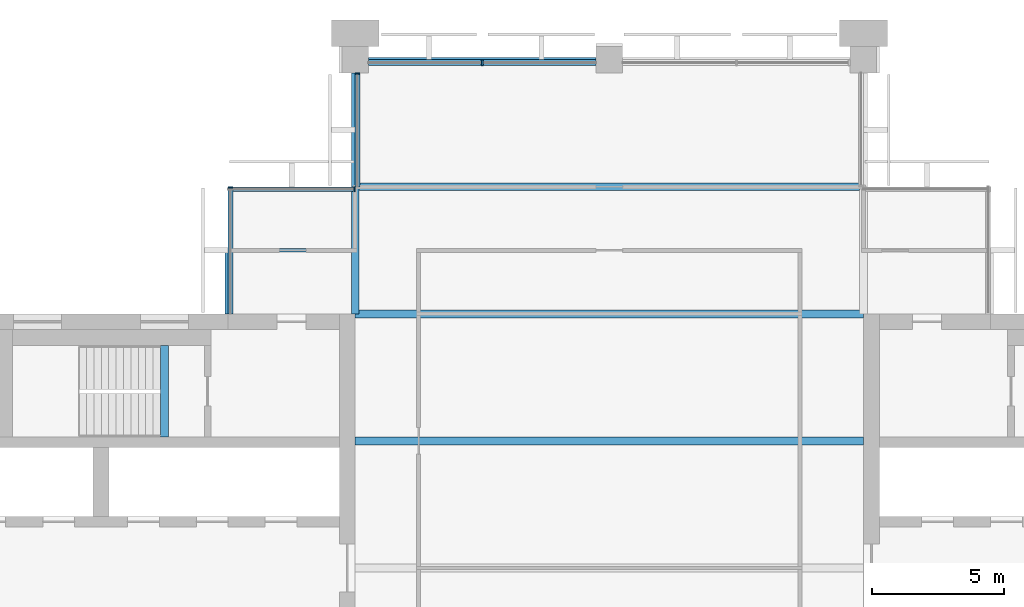
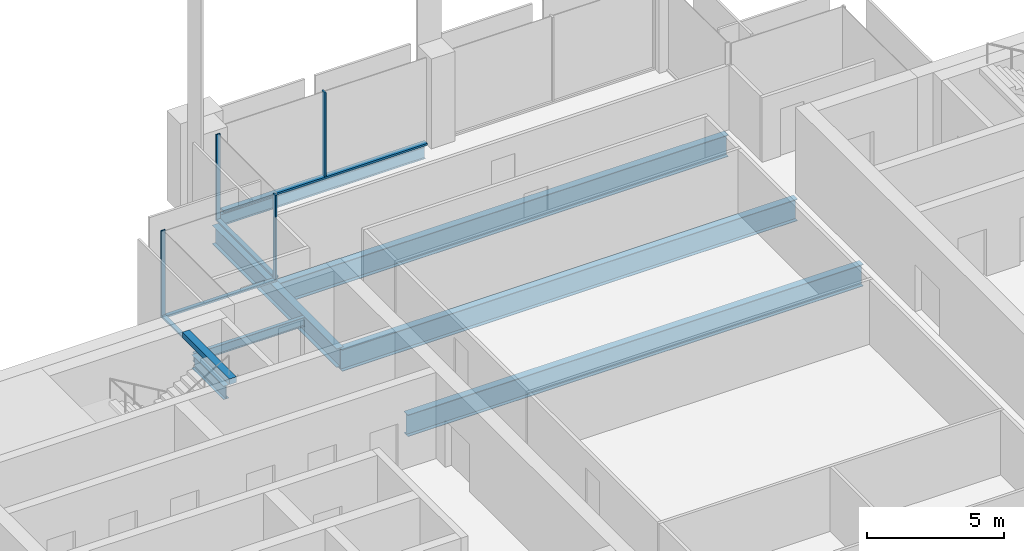
# One storey, part 5 of 12: 8 beams, 8 members, 4 elements without a shape of their own.
"""IFC4 building model written with IfcOpenShell, lengths in metres."""

from ifc_helpers import new_model, si_unit, direction, frame, origin, origin_2d, place, context, subcontext, project, spatial, rectangle, i_section, extrude, material, material_profile, profile_set, type_object, element, aggregate, save


model = new_model("IFC4")

# Units and contexts
model_context = context("Model", 3, precision=1e-05, world=origin(), true_north=direction((0.0, 1.0)))
body_context = subcontext(model_context, "Body", "Model", "MODEL_VIEW")
ifc_project = project(units=[si_unit("LENGTHUNIT", "METRE"), si_unit("AREAUNIT", "SQUARE_METRE"), si_unit("VOLUMEUNIT", "CUBIC_METRE"), si_unit("PLANEANGLEUNIT", "RADIAN"), si_unit("MASSUNIT", "GRAM", prefix="KILO")], contexts=[model_context])

# Site, building, storey
site_placement = place(None, origin())
site = spatial("IfcSite", under=ifc_project, at=site_placement, CompositionType="ELEMENT")
building_placement = place(site_placement, origin())
building = spatial("IfcBuilding", under=site, at=building_placement, Name="Baori Bourse Tower", CompositionType="ELEMENT")
storey_placement = place(building_placement, frame((0.0, 0.0, 342.300048828125)))
storey = spatial("IfcBuildingStorey", under=building, at=storey_placement, Name="L76", CompositionType="ELEMENT", Elevation=342.300048828125)

# Curtain wall, member
ifc_material_1 = material(Name="Pale anodised aluminium", Category="aluminium")
curtain_wall_type_1 = type_object("IfcCurtainWallType", Name="CW2 Curtain wall", PredefinedType="NOTDEFINED", material=ifc_material_1)
curtain_wall_1_placement = place(storey_placement, origin())
curtain_wall_1 = element("IfcCurtainWall", 1, at=curtain_wall_1_placement, inside=storey, type_object=curtain_wall_type_1, Name="Curtain wall CW2 L76 5", PredefinedType="NOTDEFINED")
ifc_material_2 = material(Name="Pale anodised aluminium", Category="aluminium")
ifc_material_profile_1 = material_profile(ifc_material_2, rectangle(XDim=0.179931640625, YDim=0.054931640625, at=origin_2d()), Name="Mullion 55x180")
ifc_profile_set_1 = profile_set([ifc_material_profile_1], Name="Pale anodised aluminium")
member_type_1 = type_object("IfcMemberType", Name="CW2 Curtain wall mullion", PredefinedType="MULLION", material=ifc_profile_set_1)
member_1_placement = place(storey_placement, frame((19.2900390625, 47.472412109375, 0.070068359375), z_axis=(0.0, 0.0, 1.0), x_axis=(1.0, 0.0, 0.0)))
member_1 = element("IfcMember", 2, at=member_1_placement, type_object=member_type_1, Name="Curtain wall CW2 mullion", PredefinedType="MULLION", context=body_context, shape_type="SweptSolid", body=[
    extrude(rectangle(XDim=0.179931640625, YDim=0.054931640625, at=origin_2d()), origin(), (0.0, 0.0, 1.0), 3.769775390625),
])

curtain_wall_2_placement = place(storey_placement, origin())
curtain_wall_2 = element("IfcCurtainWall", 3, at=curtain_wall_2_placement, inside=storey, type_object=curtain_wall_type_1, Name="Curtain wall CW2 L76 6", PredefinedType="NOTDEFINED")
member_2_placement = place(storey_placement, frame((19.172607421875, 43.110107421875, 0.070068359375), z_axis=(0.0, 0.0, 1.0), x_axis=(0.0, -1.0, 0.0)))
member_2 = element("IfcMember", 4, at=member_2_placement, type_object=member_type_1, Name="Curtain wall CW2 mullion", PredefinedType="MULLION", context=body_context, shape_type="SweptSolid", body=[
    extrude(rectangle(XDim=0.179931640625, YDim=0.054931640625, at=origin_2d()), origin(), (0.0, 0.0, 1.0), 3.769775390625),
])

curtain_wall_3_placement = place(storey_placement, origin())
curtain_wall_3 = element("IfcCurtainWall", 5, at=curtain_wall_3_placement, inside=storey, type_object=curtain_wall_type_1, Name="Curtain wall CW2 L76 7", PredefinedType="NOTDEFINED")
member_3_placement = place(storey_placement, frame((14.489990234375, 43.172607421875, 0.070068359375), z_axis=(0.0, 0.0, 1.0), x_axis=(1.0, 0.0, 0.0)))
member_3 = element("IfcMember", 6, at=member_3_placement, type_object=member_type_1, Name="Curtain wall CW2 mullion", PredefinedType="MULLION", context=body_context, shape_type="SweptSolid", body=[
    extrude(rectangle(XDim=0.179931640625, YDim=0.054931640625, at=origin_2d()), origin(), (0.0, 0.0, 1.0), 3.769775390625),
])

# Member
ifc_material_3 = material(Name="Pale anodised aluminium", Category="aluminium")
ifc_material_profile_2 = material_profile(ifc_material_3, rectangle(XDim=0.179931640625, YDim=0.070068359375, at=origin_2d()), Name="Transom 70x180")
ifc_profile_set_2 = profile_set([ifc_material_profile_2], Name="Pale anodised aluminium")
member_type_2 = type_object("IfcMemberType", Name="CW2 Curtain wall transom", PredefinedType="USERDEFINED", material=ifc_profile_set_2)
member_4_placement = place(storey_placement, frame((19.2900390625, 47.5, 0.034912109375), z_axis=(0.0, -1.0, 0.0), x_axis=(1.0, 0.0, 0.0)))
member_4 = element("IfcMember", 7, at=member_4_placement, type_object=member_type_2, Name="Curtain wall CW2 sill rail", ObjectType="TRANSOM", PredefinedType="USERDEFINED", context=body_context, shape_type="SweptSolid", body=[
    extrude(rectangle(XDim=0.179931640625, YDim=0.070068359375, at=origin_2d()), origin(), (0.0, 0.0, 1.0), 4.300048828125),
])

aggregate(curtain_wall_1, [member_4, member_1])

member_5_placement = place(storey_placement, frame((19.199951171875, 43.110107421875, 0.034912109375), z_axis=(-1.0, 0.0, 0.0), x_axis=(0.0, -1.0, 0.0)))
member_5 = element("IfcMember", 8, at=member_5_placement, type_object=member_type_2, Name="Curtain wall CW2 sill rail", ObjectType="TRANSOM", PredefinedType="USERDEFINED", context=body_context, shape_type="SweptSolid", body=[
    extrude(rectangle(XDim=0.179931640625, YDim=0.070068359375, at=origin_2d()), origin(), (0.0, 0.0, 1.0), 4.800048828125),
])

aggregate(curtain_wall_2, [member_5, member_2])

member_6_placement = place(storey_placement, frame((14.489990234375, 43.199951171875, 0.034912109375), z_axis=(0.0, -1.0, 0.0), x_axis=(1.0, 0.0, 0.0)))
member_6 = element("IfcMember", 9, at=member_6_placement, type_object=member_type_2, Name="Curtain wall CW2 sill rail", ObjectType="TRANSOM", PredefinedType="USERDEFINED", context=body_context, shape_type="SweptSolid", body=[
    extrude(rectangle(XDim=0.179931640625, YDim=0.070068359375, at=origin_2d()), origin(), (0.0, 0.0, 1.0), 4.800048828125),
])

aggregate(curtain_wall_3, [member_6, member_3])

# Curtain wall, members
ifc_material_4 = material(Name="Pale anodised aluminium", Category="aluminium")
curtain_wall_type_2 = type_object("IfcCurtainWallType", Name="CW5 Curtain wall", PredefinedType="NOTDEFINED", material=ifc_material_4)
curtain_wall_4_placement = place(storey_placement, origin())
curtain_wall_4 = element("IfcCurtainWall", 10, at=curtain_wall_4_placement, inside=storey, type_object=curtain_wall_type_2, Name="Curtain wall CW5 L76 4", PredefinedType="NOTDEFINED")
ifc_material_5 = material(Name="Pale anodised aluminium", Category="aluminium")
ifc_material_profile_3 = material_profile(ifc_material_5, rectangle(XDim=0.219970703125, YDim=0.06494140625, at=origin_2d()), Name="Mullion 65x220")
ifc_profile_set_3 = profile_set([ifc_material_profile_3], Name="Pale anodised aluminium")
member_type_3 = type_object("IfcMemberType", Name="CW5 Curtain wall mullion", PredefinedType="MULLION", material=ifc_profile_set_3)
member_7_placement = place(storey_placement, frame((24.0, 47.889892578125, 0.0849609375), z_axis=(0.0, 0.0, 1.0), x_axis=(0.0, -1.0, 0.0)))
member_7 = element("IfcMember", 11, at=member_7_placement, type_object=member_type_3, Name="Curtain wall CW5 mullion", PredefinedType="MULLION", context=body_context, shape_type="SweptSolid", body=[
    extrude(rectangle(XDim=0.219970703125, YDim=0.06494140625, at=origin_2d()), origin(), (0.0, 0.0, 1.0), 3.7548828125),
])
ifc_material_6 = material(Name="Pale anodised aluminium", Category="aluminium")
ifc_material_profile_4 = material_profile(ifc_material_6, rectangle(XDim=0.219970703125, YDim=0.0849609375, at=origin_2d()), Name="Transom 85x220")
ifc_profile_set_4 = profile_set([ifc_material_profile_4], Name="Pale anodised aluminium")
member_type_4 = type_object("IfcMemberType", Name="CW5 Curtain wall transom", PredefinedType="USERDEFINED", material=ifc_profile_set_4)
member_8_placement = place(storey_placement, frame((28.300048828125, 47.889892578125, 0.04248046875), z_axis=(-1.0, 0.0, 0.0), x_axis=(0.0, -1.0, 0.0)))
member_8 = element("IfcMember", 12, at=member_8_placement, type_object=member_type_4, Name="Curtain wall CW5 sill rail", ObjectType="TRANSOM", PredefinedType="USERDEFINED", context=body_context, shape_type="SweptSolid", body=[
    extrude(rectangle(XDim=0.219970703125, YDim=0.0849609375, at=origin_2d()), origin(), (0.0, 0.0, 1.0), 8.60009765625),
])
aggregate(curtain_wall_4, [member_8, member_7])

# Beams
ifc_material_7 = material(Name="Steel A992 Gr 50", Category="steel")
ifc_material_profile_5 = material_profile(ifc_material_7, i_section(OverallWidth=0.227783203125, OverallDepth=0.60205078125, WebThickness=0.010498046875, FlangeThickness=0.014892578125, at=origin_2d()), Name="W24x68")
ifc_profile_set_5 = profile_set([ifc_material_profile_5], Name="Steel A992 Gr 50")
beam_type_1 = type_object("IfcBeamType", Name="Core bracket W24x68", PredefinedType="BEAM", material=ifc_profile_set_5)
beam_1_placement = place(storey_placement, frame((14.39990234375, 38.39990234375, -0.4609375), z_axis=(0.0, 1.0, 0.0), x_axis=(-1.0, 0.0, 0.0)))
element("IfcBeam", 13, at=beam_1_placement, inside=storey, type_object=beam_type_1, Name="Core bracket L76", PredefinedType="BEAM", context=body_context, shape_type="SweptSolid", body=[
    extrude(i_section(OverallWidth=0.227783203125, OverallDepth=0.60205078125, WebThickness=0.010498046875, FlangeThickness=0.014892578125, at=origin_2d()), origin(), (0.0, 0.0, 1.0), 2.329833984375),
])
ifc_material_8 = material(Name="Steel A992 Gr 50", Category="steel")
ifc_material_profile_6 = material_profile(ifc_material_8, i_section(OverallWidth=0.1650390625, OverallDepth=0.52587890625, WebThickness=0.0087890625, FlangeThickness=0.011474609375, at=origin_2d()), Name="W21x44")
ifc_profile_set_6 = profile_set([ifc_material_profile_6], Name="Steel A992 Gr 50")
beam_type_2 = type_object("IfcBeamType", Name="Edge beam W21x44", PredefinedType="BEAM", material=ifc_profile_set_6)
beam_2_placement = place(storey_placement, frame((19.699951171875, 48.0, -0.4228515625), z_axis=(1.0, 0.0, 0.0), x_axis=(0.0, 1.0, 0.0)))
element("IfcBeam", 14, at=beam_2_placement, inside=storey, type_object=beam_type_2, Name="Edge beam L76", PredefinedType="BEAM", context=body_context, shape_type="SweptSolid", body=[
    extrude(i_section(OverallWidth=0.1650390625, OverallDepth=0.52587890625, WebThickness=0.0087890625, FlangeThickness=0.011474609375, at=origin_2d()), origin(), (0.0, 0.0, 1.0), 8.60009765625),
])
ifc_material_9 = material(Name="Steel A992 Gr 50", Category="steel")
ifc_material_profile_7 = material_profile(ifc_material_9, i_section(OverallWidth=0.2998046875, OverallDepth=0.97021484375, WebThickness=0.01611328125, FlangeThickness=0.02099609375, at=origin_2d()), Name="W40x149")
ifc_profile_set_7 = profile_set([ifc_material_profile_7], Name="Steel A992 Gr 50")
beam_type_3 = type_object("IfcBeamType", Name="Floor beam W40x149", PredefinedType="BEAM", material=ifc_profile_set_7)
for number, where, z_axis, x_axis, name in (
    (15, (19.199951171875, 33.60009765625, -0.645263671875), (1.0, 0.0, 0.0), (0.0, 1.0, 0.0), "Floor beam L76"),
    (16, (19.199951171875, 38.39990234375, -0.645263671875), (1.0, 0.0, 0.0), (0.0, 1.0, 0.0), "Floor beam L76"),
):
    element("IfcBeam", number, at=place(storey_placement, frame(where, z_axis=z_axis, x_axis=x_axis)), inside=storey, type_object=beam_type_3, Name=name, PredefinedType="BEAM", context=body_context, shape_type="SweptSolid", body=[
        extrude(i_section(OverallWidth=0.2998046875, OverallDepth=0.97021484375, WebThickness=0.01611328125, FlangeThickness=0.02099609375, at=origin_2d()), origin(), (0.0, 0.0, 1.0), 19.199951171875),
    ])
beam_3_placement = place(storey_placement, frame((19.345947265625, 43.199951171875, -0.645263671875), z_axis=(1.0, 0.0, 0.0), x_axis=(0.0, 1.0, 0.0)))
element("IfcBeam", 17, at=beam_3_placement, inside=storey, type_object=beam_type_3, Name="Floor beam L76", PredefinedType="BEAM", context=body_context, shape_type="SweptSolid", body=[
    extrude(i_section(OverallWidth=0.2998046875, OverallDepth=0.97021484375, WebThickness=0.01611328125, FlangeThickness=0.02099609375, at=origin_2d()), origin(), (0.0, 0.0, 1.0), 18.907958984375),
])
ifc_material_10 = material(Name="Steel A992 Gr 50", Category="steel")
ifc_material_profile_8 = material_profile(ifc_material_10, i_section(OverallWidth=0.2919921875, OverallDepth=0.835693359375, WebThickness=0.013916015625, FlangeThickness=0.018798828125, at=origin_2d()), Name="W33x118")
ifc_profile_set_8 = profile_set([ifc_material_profile_8], Name="Steel A992 Gr 50")
beam_type_4 = type_object("IfcBeamType", Name="Girder W33x118", PredefinedType="BEAM", material=ifc_profile_set_8)
beam_4_placement = place(storey_placement, frame((19.199951171875, 38.39990234375, -0.577880859375), z_axis=(0.0, 1.0, 0.0), x_axis=(-1.0, 0.0, 0.0)))
element("IfcBeam", 18, at=beam_4_placement, inside=storey, type_object=beam_type_4, Name="Girder L76", PredefinedType="BEAM", context=body_context, shape_type="SweptSolid", body=[
    extrude(i_section(OverallWidth=0.2919921875, OverallDepth=0.835693359375, WebThickness=0.013916015625, FlangeThickness=0.018798828125, at=origin_2d()), origin(), (0.0, 0.0, 1.0), 9.10009765625),
])
ifc_material_11 = material(Name="Concrete f'c 50 MPa", Category="concrete")
ifc_material_profile_9 = material_profile(ifc_material_11, rectangle(XDim=0.300048828125, YDim=0.25, at=origin_2d()), Name="RC 300x250")
ifc_profile_set_9 = profile_set([ifc_material_profile_9], Name="Concrete f'c 50 MPa")
beam_type_5 = type_object("IfcBeamType", Name="Stair nib beam RC 300x250", PredefinedType="BEAM", material=ifc_profile_set_9)
beam_5_placement = place(storey_placement, frame((12.0, 33.75, 3.71484375), z_axis=(0.0, 1.0, 0.0), x_axis=(-1.0, 0.0, 0.0)))
element("IfcBeam", 19, at=beam_5_placement, inside=storey, type_object=beam_type_5, Name="Stair WB nib beam L77", PredefinedType="BEAM", context=body_context, shape_type="SweptSolid", body=[
    extrude(rectangle(XDim=0.300048828125, YDim=0.25, at=origin_2d()), origin(), (0.0, 0.0, 1.0), 3.449951171875),
])
ifc_material_12 = material(Name="Steel A992 Gr 50", Category="steel")
ifc_material_profile_10 = material_profile(ifc_material_12, i_section(OverallWidth=0.140380859375, OverallDepth=0.40380859375, WebThickness=0.007080078125, FlangeThickness=0.01123046875, at=origin_2d()), Name="W16x31")
ifc_profile_set_10 = profile_set([ifc_material_profile_10], Name="Steel A992 Gr 50")
beam_type_6 = type_object("IfcBeamType", Name="Trimmer beam W16x31", PredefinedType="BEAM", material=ifc_profile_set_10)
beam_6_placement = place(storey_placement, frame((14.39990234375, 40.800048828125, -0.362060546875), z_axis=(1.0, 0.0, 0.0), x_axis=(0.0, 1.0, 0.0)))
element("IfcBeam", 20, at=beam_6_placement, inside=storey, type_object=beam_type_6, Name="Trimmer beam L76", PredefinedType="BEAM", context=body_context, shape_type="SweptSolid", body=[
    extrude(i_section(OverallWidth=0.140380859375, OverallDepth=0.40380859375, WebThickness=0.007080078125, FlangeThickness=0.01123046875, at=origin_2d()), origin(), (0.0, 0.0, 1.0), 4.654052734375),
])

save(model, "model.ifc")
